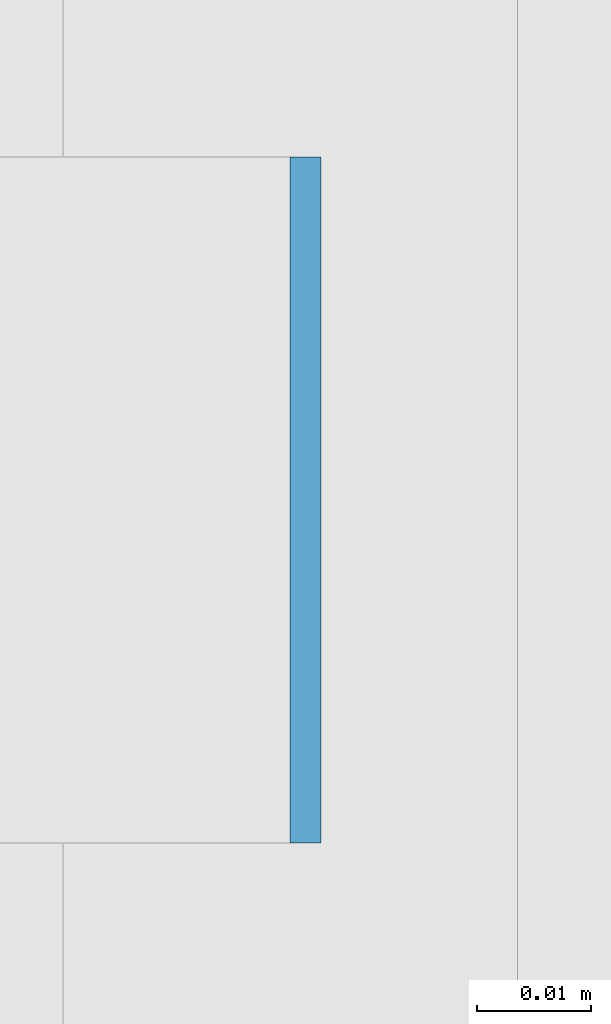
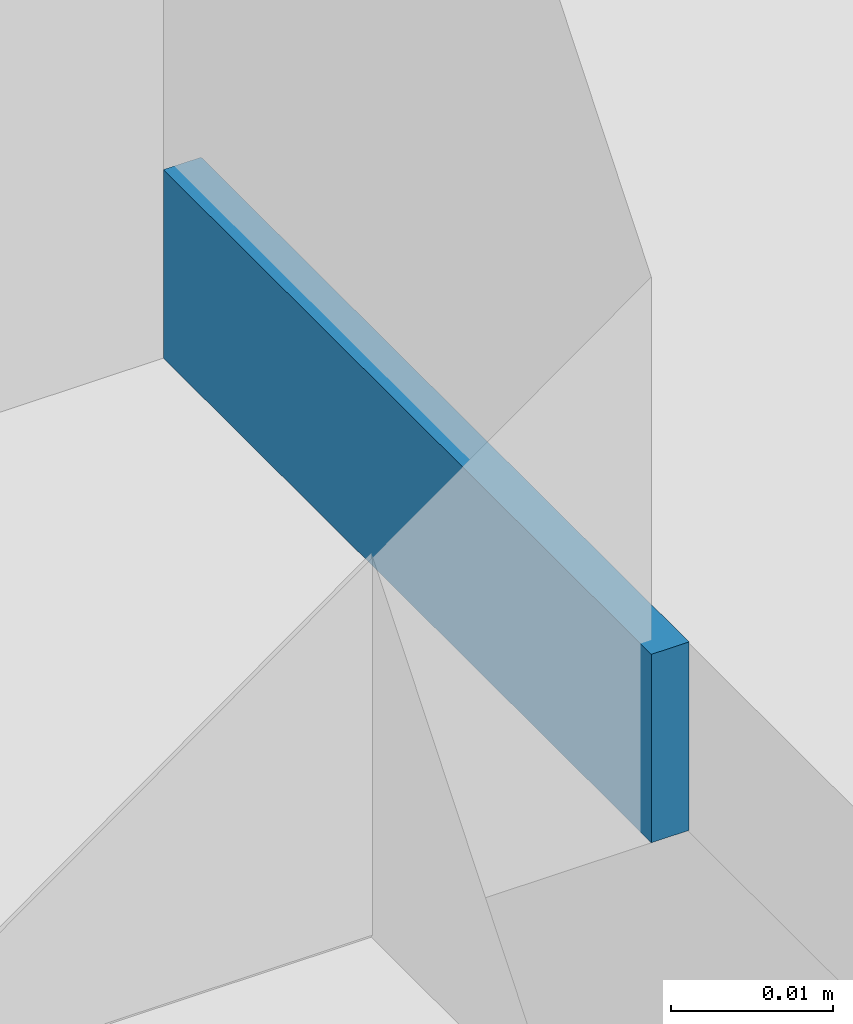
# One storey, part 310 of 646: 1 discrete accessory.
"""IFC4 building model written with IfcOpenShell, lengths in metres."""

from ifc_helpers import new_model, si_unit, direction, frame, origin, origin_2d, place, context, subcontext, project, spatial, rectangle, extrude, material, type_object, element, save


model = new_model("IFC4")

# Units and contexts
model_context = context("Model", 3, precision=1e-05, world=origin(), true_north=direction((0.0, 1.0)))
body_context = subcontext(model_context, "Body", "Model", "MODEL_VIEW")
ifc_project = project(units=[si_unit("LENGTHUNIT", "METRE"), si_unit("AREAUNIT", "SQUARE_METRE"), si_unit("VOLUMEUNIT", "CUBIC_METRE"), si_unit("PLANEANGLEUNIT", "RADIAN"), si_unit("MASSUNIT", "GRAM", prefix="KILO")], contexts=[model_context])

# Site, building, storey
site_placement = place(None, origin())
site = spatial("IfcSite", under=ifc_project, at=site_placement, CompositionType="ELEMENT")
building_placement = place(site_placement, origin())
building = spatial("IfcBuilding", under=site, at=building_placement, Name="Silverbay Arena", CompositionType="ELEMENT")
storey_placement = place(building_placement, frame((0.0, 0.0, 33.5)))
storey = spatial("IfcBuildingStorey", under=building, at=storey_placement, Name="L05", CompositionType="ELEMENT", Elevation=33.5)

# Discrete accessory
ifc_material = material(Name="Steel S355", Category="steel")
discrete_accessory_type = type_object("IfcDiscreteAccessoryType", Name="Steel bracket plate", PredefinedType="BRACKET", material=ifc_material)
discrete_accessory_placement = place(storey_placement, frame((53.871337890625, 68.142822265625, 4.0), z_axis=(0.0, 0.0, 1.0), x_axis=(1.0, 0.0, 0.0)))
element("IfcDiscreteAccessory", 1, at=discrete_accessory_placement, inside=storey, type_object=discrete_accessory_type, Name="Curtain wall packing plate", PredefinedType="BRACKET", context=body_context, shape_type="SweptSolid", body=[
    extrude(rectangle(XDim=0.002685546875, YDim=0.06005859375, at=origin_2d()), origin(), (0.0, 0.0, 1.0), 0.01416015625),
])

save(model, "model.ifc")
